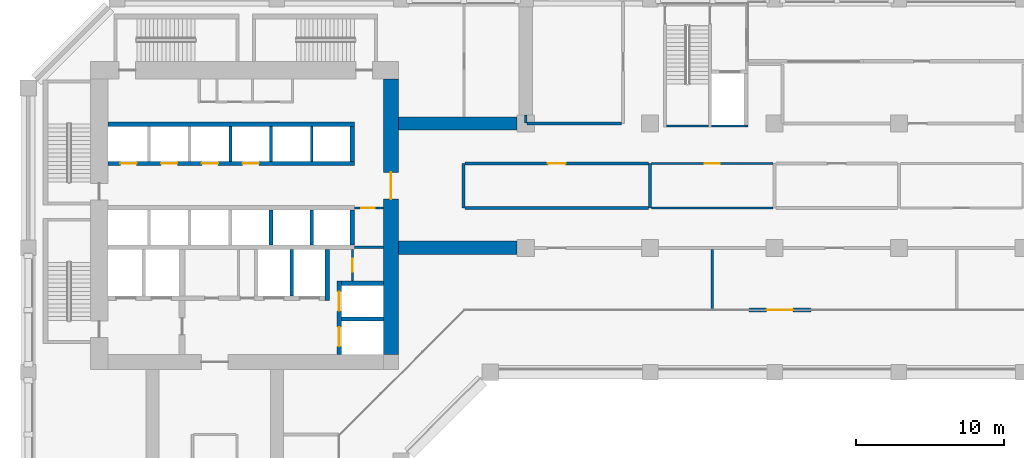
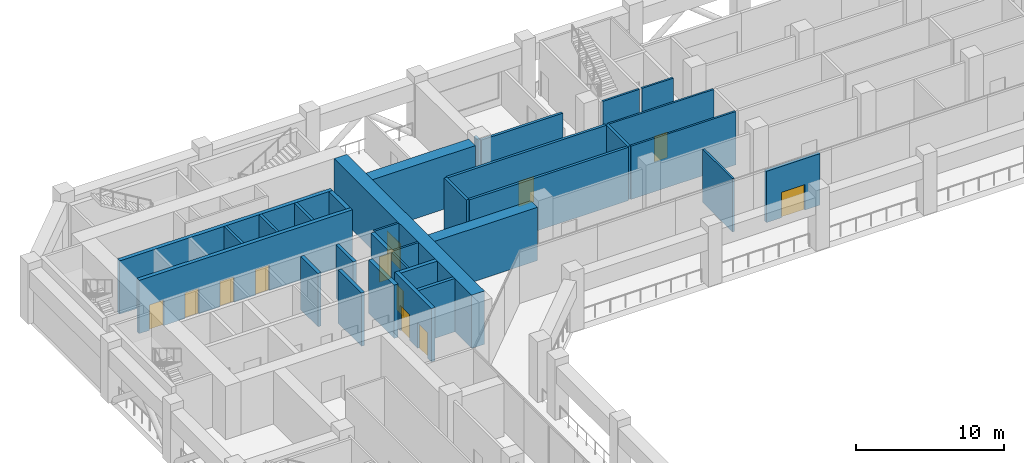
# One storey, part 8 of 19: 32 walls, 12 doors, 12 openings.
"""IFC4 building model written with IfcOpenShell, lengths in metres."""

import ifcopenshell
import ifcopenshell.guid

model = None  # the IFC model being written
_history = None  # IfcOwnerHistory: only IFC2X3 demands one
_inside = {}  # id of a spatial element -> (the spatial element, [elements in it])
_under = {}  # id of a project, library or spatial element -> (it, [spatial elements below it])
_declared = {}  # id of a project -> (the project, [libraries it declares])
_typed = {}  # id of a type object -> (the type object, [elements of that type])
_made_of = {}  # id of a material, layer set ... -> (it, [elements and type objects made of it])


def new_model(schema):
    """Start an empty IFC model of exactly this schema.

    Asked for "IFC4X3", IfcOpenShell would pick the latest addendum, in which some entities
    have other attributes; the version numbers below select the first issue.
    IFC2X3 requires an IfcOwnerHistory on every rooted entity: one is made here for all.
    """
    global model, _history
    if schema == "IFC4X3":
        model = ifcopenshell.file(schema_version=(4, 3, 0, 0))
    else:
        model = ifcopenshell.file(schema=schema)
    _inside.clear()
    _under.clear()
    _declared.clear()
    _typed.clear()
    _made_of.clear()
    _history = None
    if model.schema == "IFC2X3":
        org = make("IfcOrganization", Name="unknown")
        user = make(
            "IfcPersonAndOrganization",
            ThePerson=make("IfcPerson", FamilyName="unknown"),
            TheOrganization=org,
        )
        app = make(
            "IfcApplication",
            ApplicationDeveloper=org,
            Version="unknown",
            ApplicationFullName="unknown",
            ApplicationIdentifier="unknown",
        )
        _history = make(
            "IfcOwnerHistory",
            OwningUser=user,
            OwningApplication=app,
            ChangeAction="ADDED",
            CreationDate=0,
        )
    return model


def make(cls, **values):
    """One entity of the class cls with the attributes given. An attribute that is None is left unset."""
    return model.create_entity(
        cls, **{name: value for name, value in values.items() if value is not None}
    )


def rooted(cls, **values):
    """An entity with a GlobalId (a new one), such as an element, a storey or a relation."""
    return make(cls, GlobalId=ifcopenshell.guid.new(), OwnerHistory=_history, **values)


def si_unit(unit_type, name, prefix=None):
    """IfcSIUnit, for example si_unit("LENGTHUNIT", "METRE", prefix="MILLI")."""
    return make("IfcSIUnit", UnitType=unit_type, Prefix=prefix, Name=name)


def assignment(units):
    """IfcUnitAssignment: the units of a project."""
    return None if units is None else make("IfcUnitAssignment", Units=units)


def point(xyz):
    """IfcCartesianPoint."""
    return None if xyz is None else make("IfcCartesianPoint", Coordinates=xyz)


def direction(xyz):
    """IfcDirection."""
    return None if xyz is None else make("IfcDirection", DirectionRatios=xyz)


def frame(location, z_axis=None, x_axis=None):
    """IfcAxis2Placement3D, a coordinate frame: its origin and axes. An axis left out is left unset."""
    return make(
        "IfcAxis2Placement3D",
        Location=point(location),
        Axis=direction(z_axis),
        RefDirection=direction(x_axis),
    )


def frame_2d(location, x_axis=None):
    """IfcAxis2Placement2D, a coordinate frame in the plane: its origin and x axis."""
    return make(
        "IfcAxis2Placement2D", Location=point(location), RefDirection=direction(x_axis)
    )


def origin():
    """The frame at (0, 0, 0) with its axes left unset."""
    return frame((0.0, 0.0, 0.0))


def place(relative_to, where):
    """IfcLocalPlacement: puts the frame where relative to a parent placement (None: the world)."""
    return make(
        "IfcLocalPlacement", PlacementRelTo=relative_to, RelativePlacement=where
    )


def context(
    kind, dimensions, precision=None, world=None, true_north=None, identifier=None
):
    """IfcGeometricRepresentationContext, for example the 3D "Model" context."""
    return make(
        "IfcGeometricRepresentationContext",
        ContextIdentifier=identifier,
        ContextType=kind,
        CoordinateSpaceDimension=dimensions,
        Precision=precision,
        WorldCoordinateSystem=world,
        TrueNorth=true_north,
    )


def subcontext(parent, identifier, kind, view, scale=None):
    """IfcGeometricRepresentationSubContext, for example "Body" below "Model"."""
    return make(
        "IfcGeometricRepresentationSubContext",
        ContextIdentifier=identifier,
        ContextType=kind,
        ParentContext=parent,
        TargetScale=scale,
        TargetView=view,
    )


def project(units=None, contexts=None):
    """IfcProject with its units and contexts."""
    return rooted(
        "IfcProject",
        Name="project",
        RepresentationContexts=contexts,
        UnitsInContext=assignment(units),
    )


def spatial(cls, under=None, at=None, **own):
    """A site, building, storey or space (cls), placed at a placement, below another one or the project."""
    s = rooted(cls, ObjectPlacement=at, **own)
    if under is not None:
        _under.setdefault(under.id(), (under, []))[1].append(s)
    return s


def profile(cls, at=None, kind="AREA", **sizes):
    """A parametric profile (cls). Its sizes go by their IFC names, for example OverallWidth=200.0."""
    return make(cls, ProfileType=kind, Position=at, **sizes)


def rectangle(**sizes):
    """IfcRectangleProfileDef."""
    return profile("IfcRectangleProfileDef", **sizes)


def extrude(swept, where, along, depth):
    """IfcExtrudedAreaSolid: the profile swept, set in the frame where, extruded along a direction by depth."""
    return make(
        "IfcExtrudedAreaSolid",
        SweptArea=swept,
        Position=where,
        ExtrudedDirection=direction(along),
        Depth=depth,
    )


def shape(context_of_items, identifier, shape_type, items):
    """IfcShapeRepresentation: the items that make up one representation, for example the "Body"."""
    return make(
        "IfcShapeRepresentation",
        ContextOfItems=context_of_items,
        RepresentationIdentifier=identifier,
        RepresentationType=shape_type,
        Items=items,
    )


def material(Name=None, Category=None):
    """IfcMaterial."""
    return make("IfcMaterial", Name=Name, Category=Category)


def layer(
    of_material, thickness, ventilated=None, Name=None, Category=None, Priority=None
):
    """IfcMaterialLayer: one layer of a wall or slab, of a material (None: an air gap)."""
    return make(
        "IfcMaterialLayer",
        Material=of_material,
        LayerThickness=thickness,
        IsVentilated=ventilated,
        Name=Name,
        Category=Category,
        Priority=Priority,
    )


def layer_set(layers, Name=None):
    """IfcMaterialLayerSet."""
    return make("IfcMaterialLayerSet", MaterialLayers=layers, LayerSetName=Name)


def made_of(thing, what):
    """Note that an element or type object is made of a material, layer set ...; save() writes the relation."""
    if what is not None:
        _made_of.setdefault(what.id(), (what, []))[1].append(thing)
    return thing


def type_object(cls, material=None, **own):
    """A type object (cls), such as IfcWallType, which elements share."""
    return made_of(rooted(cls, **own), material)


def element(
    cls,
    number,
    at=None,
    inside=None,
    cuts=None,
    type_object=None,
    material=None,
    context=None,
    identifier="Body",
    shape_type=None,
    held_by="IfcProductDefinitionShape",
    body=None,
    shapes=None,
    **own,
):
    """One element of the class cls, such as IfcWall. Its Tag is "e" and its number.

    at: its placement. inside: the storey or other place that contains it. cuts: it is an
    opening in that element (IfcRelVoidsElement). A single representation is given by context,
    identifier, shape_type and body (its items); several are given by shapes. held_by: the class
    of the entity that holds the representations. save() writes the other relations.
    """
    e = rooted(cls, Tag="e%d" % number, ObjectPlacement=at, **own)
    if body is not None:
        shapes = [shape(context, identifier, shape_type, body)]
    if shapes is not None:
        e.Representation = make(held_by, Representations=shapes)
    if inside is not None:
        _inside.setdefault(inside.id(), (inside, []))[1].append(e)
    if cuts is not None:
        rooted(
            "IfcRelVoidsElement", RelatingBuildingElement=cuts, RelatedOpeningElement=e
        )
    if type_object is not None:
        _typed.setdefault(type_object.id(), (type_object, []))[1].append(e)
    return made_of(e, material)


def fill(opening, filler):
    """IfcRelFillsElement: the door or window that sits in an opening."""
    return rooted(
        "IfcRelFillsElement",
        RelatingOpeningElement=opening,
        RelatedBuildingElement=filler,
    )


def aggregate(whole, parts):
    """IfcRelAggregates: a whole, such as a stair, and the parts it consists of."""
    return rooted("IfcRelAggregates", RelatingObject=whole, RelatedObjects=parts)


def save(model, path):
    """Write the relations noted so far, then the file.

    IfcRelAggregates (storeys below a building ...), IfcRelContainedInSpatialStructure (elements
    in a storey), IfcRelDefinesByType, IfcRelAssociatesMaterial and IfcRelDeclares: one each for
    every whole, place, type object, material and project.
    """
    for whole, parts in _under.values():
        aggregate(whole, parts)
    for where, things in _inside.values():
        rooted(
            "IfcRelContainedInSpatialStructure",
            RelatedElements=things,
            RelatingStructure=where,
        )
    for kind, things in _typed.values():
        rooted("IfcRelDefinesByType", RelatedObjects=things, RelatingType=kind)
    for what, things in _made_of.values():
        rooted("IfcRelAssociatesMaterial", RelatedObjects=things, RelatingMaterial=what)
    for by, libraries in _declared.values():
        rooted("IfcRelDeclares", RelatingContext=by, RelatedDefinitions=libraries)
    model.write(path)


model = new_model("IFC4")

# Units and contexts
model_context = context("Model", 3, precision=1e-05, world=origin(), true_north=direction((0.0, 1.0)))
body_context = subcontext(model_context, "Body", "Model", "MODEL_VIEW")
ifc_project = project(units=[si_unit("LENGTHUNIT", "METRE"), si_unit("AREAUNIT", "SQUARE_METRE"), si_unit("VOLUMEUNIT", "CUBIC_METRE"), si_unit("PLANEANGLEUNIT", "RADIAN"), si_unit("MASSUNIT", "GRAM", prefix="KILO")], contexts=[model_context])

# Site, building, storey
site_placement = place(None, origin())
site = spatial("IfcSite", under=ifc_project, at=site_placement, CompositionType="ELEMENT")
building_placement = place(site_placement, origin())
building = spatial("IfcBuilding", under=site, at=building_placement, Name="Kawkab Arch Medical Tower", CompositionType="ELEMENT")
storey_placement = place(building_placement, frame((0.0, 0.0, 93.800048828125)))
storey = spatial("IfcBuildingStorey", under=building, at=storey_placement, Name="L21", CompositionType="ELEMENT", Elevation=93.800048828125)

# Walls
ifc_material_1 = material(Name="Concrete C55/67", Category="concrete")
ifc_layer_1 = layer(ifc_material_1, 0.89990234375)
ifc_layer_set_1 = layer_set([ifc_layer_1], Name="Concrete C55/67")
wall_type_1 = type_object("IfcWallType", Name="Belt wall 900 C55/67", PredefinedType="SHEAR", material=ifc_layer_set_1)
for number, where, z_axis, x_axis, name in (
    (1, (25.0, -8.39990234375, 0.0), (0.0, 0.0, 1.0), (1.0, 0.0, 0.0), "Belt wall BW-L21-1"),
    (2, (25.0, -16.800048828125, 0.0), (0.0, 0.0, 1.0), (1.0, 0.0, 0.0), "Belt wall BW-L21-2"),
):
    element("IfcWall", number, at=place(storey_placement, frame(where, z_axis=z_axis, x_axis=x_axis)), inside=storey, type_object=wall_type_1, Name=name, PredefinedType="SHEAR", context=body_context, shape_type="SweptSolid", body=[
        extrude(rectangle(XDim=8.02490234375, YDim=0.89990234375, at=frame_2d((4.012451171875, 0.0))), origin(), (0.0, 0.0, 1.0), 4.39990234375),
    ])

# Wall, opening, door
ifc_material_2 = material(Name="Concrete C60/75", Category="concrete")
ifc_layer_2 = layer(ifc_material_2, 1.0)
ifc_layer_set_2 = layer_set([ifc_layer_2], Name="Concrete C60/75")
wall_type_2 = type_object("IfcWallType", Name="Core ring wall 1000 C60/75", PredefinedType="SHEAR", material=ifc_layer_set_2)
wall_1_placement = place(storey_placement, frame((24.5, -24.0, 0.0), z_axis=(0.0, 0.0, 1.0), x_axis=(0.0, 1.0, 0.0)))
wall_1 = element("IfcWall", 3, at=wall_1_placement, inside=storey, type_object=wall_type_2, Name="L21 core wall", PredefinedType="SHEAR", context=body_context, shape_type="SweptSolid", body=[
    extrude(rectangle(XDim=18.60009765625, YDim=1.0, at=frame_2d((9.300048828125, 0.0))), origin(), (0.0, 0.0, 1.0), 4.39990234375),
])
opening_1_placement = place(wall_1_placement, frame((10.5, 0.0, 0.0)))
opening_1 = element("IfcOpeningElement", 4, at=opening_1_placement, cuts=wall_1, Name="Opening PD", PredefinedType="OPENING", context=body_context, shape_type="SweptSolid", body=[
    extrude(rectangle(XDim=1.800048828125, YDim=2.10009765625, at=frame_2d((0.89990234375, 1.050048828125))), frame((0.0, 0.510009765625, 0.0), z_axis=(0.0, -1.0, 0.0), x_axis=(1.0, 0.0, 0.0)), (0.0, 0.0, 1.0), 1.02001953125),
])
ifc_material_3 = material(Name="Hollow metal fire door leaf")
door_type_1 = type_object("IfcDoorType", Name="Core entrance doors 1800", OperationType="DOUBLE_DOOR_SINGLE_SWING", PredefinedType="DOOR", material=ifc_material_3)
door_1_placement = place(opening_1_placement, origin())
door_1 = element("IfcDoor", 5, at=door_1_placement, inside=storey, type_object=door_type_1, Name="L21 East entrance doors", OperationType="DOUBLE_DOOR_SINGLE_SWING", OverallHeight=2.10009765625, OverallWidth=1.800048828125, PredefinedType="DOOR", context=body_context, shape_type="SweptSolid", body=[
    extrude(rectangle(XDim=1.800048828125, YDim=2.10009765625, at=frame_2d((0.89990234375, 1.050048828125))), frame((0.0, 0.02490234375, 0.0), z_axis=(0.0, -1.0, 0.0), x_axis=(1.0, 0.0, 0.0)), (0.0, 0.0, 1.0), 0.050048828125),
])
fill(opening_1, door_1)

ifc_material_4 = material(Name="Gypsum board on steel studs", Category="steel")
ifc_layer_3 = layer(ifc_material_4, 0.14990234375)
ifc_layer_set_3 = layer_set([ifc_layer_3], Name="Gypsum board on steel studs")
wall_type_3 = type_object("IfcWallType", Name="Core room partition 150", PredefinedType="PARTITIONING", material=ifc_layer_set_3)
wall_2_placement = place(storey_placement, frame((21.89990234375, -19.050048828125, 0.0), z_axis=(0.0, 0.0, 1.0), x_axis=(0.0, 1.0, 0.0)))
wall_2 = element("IfcWall", 6, at=wall_2_placement, inside=storey, type_object=wall_type_3, Name="L21 core room partition", PredefinedType="PARTITIONING", context=body_context, shape_type="SweptSolid", body=[
    extrude(rectangle(XDim=2.150146484375, YDim=0.14990234375, at=frame_2d((1.0751953125, 0.0))), origin(), (0.0, 0.0, 1.0), 4.39990234375),
])
opening_2_placement = place(wall_2_placement, frame((0.625, 0.0, 0.0)))
opening_2 = element("IfcOpeningElement", 7, at=opening_2_placement, cuts=wall_2, Name="Opening RD", PredefinedType="OPENING", context=body_context, shape_type="SweptSolid", body=[
    extrude(rectangle(XDim=0.89990234375, YDim=2.10009765625, at=frame_2d((0.449951171875, 1.050048828125))), frame((0.0, 0.0849609375, 0.0), z_axis=(0.0, -1.0, 0.0), x_axis=(1.0, 0.0, 0.0)), (0.0, 0.0, 1.0), 0.169921875),
])
ifc_material_5 = material(Name="Hollow metal fire door leaf")
door_type_2 = type_object("IfcDoorType", Name="Core room door 900", OperationType="SINGLE_SWING_LEFT", PredefinedType="DOOR", material=ifc_material_5)
door_2_placement = place(opening_2_placement, origin())
door_2 = element("IfcDoor", 8, at=door_2_placement, inside=storey, type_object=door_type_2, Name="L21 Accessible WC door", OperationType="SINGLE_SWING_LEFT", OverallHeight=2.10009765625, OverallWidth=0.89990234375, PredefinedType="DOOR", context=body_context, shape_type="SweptSolid", body=[
    extrude(rectangle(XDim=0.89990234375, YDim=2.10009765625, at=frame_2d((0.449951171875, 1.050048828125))), frame((0.0, 0.02490234375, 0.0), z_axis=(0.0, -1.0, 0.0), x_axis=(1.0, 0.0, 0.0)), (0.0, 0.0, 1.0), 0.050048828125),
])
fill(opening_2, door_2)

# Wall
wall_3_placement = place(storey_placement, frame((22.050048828125, -16.75, 0.0), z_axis=(0.0, 0.0, 1.0), x_axis=(1.0, 0.0, 0.0)))
element("IfcWall", 9, at=wall_3_placement, inside=storey, type_object=wall_type_3, Name="L21 core room partition", PredefinedType="PARTITIONING", context=body_context, shape_type="SweptSolid", body=[
    extrude(rectangle(XDim=1.949951171875, YDim=0.14990234375, at=frame_2d((0.97509765625, 0.0))), origin(), (0.0, 0.0, 1.0), 4.39990234375),
])

# Wall, opening, door
wall_4_placement = place(storey_placement, frame((22.050048828125, -14.10009765625, 0.0), z_axis=(0.0, 0.0, 1.0), x_axis=(1.0, 0.0, 0.0)))
wall_4 = element("IfcWall", 10, at=wall_4_placement, inside=storey, type_object=wall_type_3, Name="L21 core room partition", PredefinedType="PARTITIONING", context=body_context, shape_type="SweptSolid", body=[
    extrude(rectangle(XDim=1.949951171875, YDim=0.14990234375, at=frame_2d((0.97509765625, 0.0))), origin(), (0.0, 0.0, 1.0), 4.39990234375),
])
opening_3_placement = place(wall_4_placement, frame((0.449951171875, 0.0, 0.0)))
opening_3 = element("IfcOpeningElement", 11, at=opening_3_placement, cuts=wall_4, Name="Opening RD", PredefinedType="OPENING", context=body_context, shape_type="SweptSolid", body=[
    extrude(rectangle(XDim=0.89990234375, YDim=2.10009765625, at=frame_2d((0.449951171875, 1.050048828125))), frame((0.0, 0.0849609375, 0.0), z_axis=(0.0, -1.0, 0.0), x_axis=(1.0, 0.0, 0.0)), (0.0, 0.0, 1.0), 0.169921875),
])
door_3_placement = place(opening_3_placement, origin())
door_3 = element("IfcDoor", 12, at=door_3_placement, inside=storey, type_object=door_type_2, Name="L21 Comms room door", OperationType="SINGLE_SWING_LEFT", OverallHeight=2.10009765625, OverallWidth=0.89990234375, PredefinedType="DOOR", context=body_context, shape_type="SweptSolid", body=[
    extrude(rectangle(XDim=0.89990234375, YDim=2.10009765625, at=frame_2d((0.449951171875, 1.050048828125))), frame((0.0, 0.02490234375, 0.0), z_axis=(0.0, -1.0, 0.0), x_axis=(1.0, 0.0, 0.0)), (0.0, 0.0, 1.0), 0.050048828125),
])
fill(opening_3, door_3)

# Walls
ifc_material_6 = material(Name="Concrete C60/75", Category="concrete")
ifc_layer_4 = layer(ifc_material_6, 0.25)
ifc_layer_set_4 = layer_set([ifc_layer_4], Name="Concrete C60/75")
wall_type_4 = type_object("IfcWallType", Name="Core shear wall 250 C60/75", PredefinedType="SHEAR", material=ifc_layer_set_4)
wall_5_placement = place(storey_placement, frame((21.14990234375, -21.60009765625, 0.0), z_axis=(0.0, 0.0, 1.0), x_axis=(1.0, 0.0, 0.0)))
element("IfcWall", 13, at=wall_5_placement, inside=storey, type_object=wall_type_4, Name="L21 core shear wall", PredefinedType="SHEAR", context=body_context, shape_type="SweptSolid", body=[
    extrude(rectangle(XDim=2.85009765625, YDim=0.25, at=frame_2d((1.425048828125, 0.0))), origin(), (0.0, 0.0, 1.0), 4.39990234375),
])
wall_6_placement = place(storey_placement, frame((17.800048828125, -20.050048828125, 0.0), z_axis=(0.0, 0.0, 1.0), x_axis=(0.0, 1.0, 0.0)))
element("IfcWall", 14, at=wall_6_placement, inside=storey, type_object=wall_type_4, Name="L21 core shear wall", PredefinedType="SHEAR", context=body_context, shape_type="SweptSolid", body=[
    extrude(rectangle(XDim=3.150146484375, YDim=0.25, at=frame_2d((1.5751953125, 0.0))), origin(), (0.0, 0.0, 1.0), 4.39990234375),
])
for number, where, z_axis, x_axis, name in (
    (15, (16.39990234375, -16.60009765625, 0.0), (0.0, 0.0, 1.0), (0.0, 1.0, 0.0), "L21 core shear wall"),
    (16, (19.14990234375, -16.60009765625, 0.0), (0.0, 0.0, 1.0), (0.0, 1.0, 0.0), "L21 core shear wall"),
):
    element("IfcWall", number, at=place(storey_placement, frame(where, z_axis=z_axis, x_axis=x_axis)), inside=storey, type_object=wall_type_4, Name=name, PredefinedType="SHEAR", context=body_context, shape_type="SweptSolid", body=[
        extrude(rectangle(XDim=2.35009765625, YDim=0.25, at=frame_2d((1.175048828125, 0.0))), origin(), (0.0, 0.0, 1.0), 4.39990234375),
    ])
ifc_material_7 = material(Name="Concrete C60/75", Category="concrete")
ifc_layer_5 = layer(ifc_material_7, 0.300048828125)
ifc_layer_set_5 = layer_set([ifc_layer_5], Name="Concrete C60/75")
wall_type_5 = type_object("IfcWallType", Name="Core shear wall 300 C60/75", PredefinedType="SHEAR", material=ifc_layer_set_5)
wall_7_placement = place(storey_placement, frame((5.39990234375, -8.449951171875, 0.0), z_axis=(0.0, 0.0, 1.0), x_axis=(1.0, 0.0, 0.0)))
element("IfcWall", 17, at=wall_7_placement, inside=storey, type_object=wall_type_5, Name="L21 core shear wall", PredefinedType="SHEAR", context=body_context, shape_type="SweptSolid", body=[
    extrude(rectangle(XDim=16.650146484375, YDim=0.300048828125, at=frame_2d((8.3251953125, 0.0))), origin(), (0.0, 0.0, 1.0), 4.39990234375),
])

# Wall, openings, doors
wall_8_placement = place(storey_placement, frame((5.39990234375, -11.10009765625, 0.0), z_axis=(0.0, 0.0, 1.0), x_axis=(1.0, 0.0, 0.0)))
wall_8 = element("IfcWall", 18, at=wall_8_placement, inside=storey, type_object=wall_type_5, Name="L21 core shear wall", PredefinedType="SHEAR", context=body_context, shape_type="SweptSolid", body=[
    extrude(rectangle(XDim=16.650146484375, YDim=0.300048828125, at=frame_2d((8.3251953125, 0.0))), origin(), (0.0, 0.0, 1.0), 4.39990234375),
])
opening_4_placement = place(wall_8_placement, frame((0.824951171875, 0.0, 0.0)))
opening_4 = element("IfcOpeningElement", 19, at=opening_4_placement, cuts=wall_8, Name="Opening LD1", PredefinedType="OPENING", context=body_context, shape_type="SweptSolid", body=[
    extrude(rectangle(XDim=1.10009765625, YDim=2.10009765625, at=frame_2d((0.550048828125, 1.050048828125))), frame((0.0, 0.159912109375, 0.0), z_axis=(0.0, -1.0, 0.0), x_axis=(1.0, 0.0, 0.0)), (0.0, 0.0, 1.0), 0.320068359375),
])
opening_5_placement = place(wall_8_placement, frame((3.574951171875, 0.0, 0.0)))
opening_5 = element("IfcOpeningElement", 20, at=opening_5_placement, cuts=wall_8, Name="Opening LD1", PredefinedType="OPENING", context=body_context, shape_type="SweptSolid", body=[
    extrude(rectangle(XDim=1.10009765625, YDim=2.10009765625, at=frame_2d((0.550048828125, 1.050048828125))), frame((0.0, 0.159912109375, 0.0), z_axis=(0.0, -1.0, 0.0), x_axis=(1.0, 0.0, 0.0)), (0.0, 0.0, 1.0), 0.320068359375),
])
opening_6_placement = place(wall_8_placement, frame((6.324951171875, 0.0, 0.0)))
opening_6 = element("IfcOpeningElement", 21, at=opening_6_placement, cuts=wall_8, Name="Opening LD1", PredefinedType="OPENING", context=body_context, shape_type="SweptSolid", body=[
    extrude(rectangle(XDim=1.10009765625, YDim=2.10009765625, at=frame_2d((0.550048828125, 1.050048828125))), frame((0.0, 0.159912109375, 0.0), z_axis=(0.0, -1.0, 0.0), x_axis=(1.0, 0.0, 0.0)), (0.0, 0.0, 1.0), 0.320068359375),
])
opening_7_placement = place(wall_8_placement, frame((9.074951171875, 0.0, 0.0)))
opening_7 = element("IfcOpeningElement", 22, at=opening_7_placement, cuts=wall_8, Name="Opening LD1", PredefinedType="OPENING", context=body_context, shape_type="SweptSolid", body=[
    extrude(rectangle(XDim=1.10009765625, YDim=2.10009765625, at=frame_2d((0.550048828125, 1.050048828125))), frame((0.0, 0.159912109375, 0.0), z_axis=(0.0, -1.0, 0.0), x_axis=(1.0, 0.0, 0.0)), (0.0, 0.0, 1.0), 0.320068359375),
])
ifc_material_8 = material(Name="Stainless steel lift door leaf", Category="steel")
door_type_3 = type_object("IfcDoorType", Name="Lift landing door 1100", OperationType="DOUBLE_DOOR_SLIDING", PredefinedType="DOOR", material=ifc_material_8)
door_4_placement = place(opening_4_placement, origin())
door_4 = element("IfcDoor", 23, at=door_4_placement, inside=storey, type_object=door_type_3, Name="L21 Lift landing door LP1", OperationType="DOUBLE_DOOR_SLIDING", OverallHeight=2.10009765625, OverallWidth=1.10009765625, PredefinedType="DOOR", context=body_context, shape_type="SweptSolid", body=[
    extrude(rectangle(XDim=1.10009765625, YDim=2.10009765625, at=frame_2d((0.550048828125, 1.050048828125))), frame((0.0, 0.02490234375, 0.0), z_axis=(0.0, -1.0, 0.0), x_axis=(1.0, 0.0, 0.0)), (0.0, 0.0, 1.0), 0.050048828125),
])
fill(opening_4, door_4)
door_5_placement = place(opening_5_placement, origin())
door_5 = element("IfcDoor", 24, at=door_5_placement, inside=storey, type_object=door_type_3, Name="L21 Lift landing door LP2", OperationType="DOUBLE_DOOR_SLIDING", OverallHeight=2.10009765625, OverallWidth=1.10009765625, PredefinedType="DOOR", context=body_context, shape_type="SweptSolid", body=[
    extrude(rectangle(XDim=1.10009765625, YDim=2.10009765625, at=frame_2d((0.550048828125, 1.050048828125))), frame((0.0, 0.02490234375, 0.0), z_axis=(0.0, -1.0, 0.0), x_axis=(1.0, 0.0, 0.0)), (0.0, 0.0, 1.0), 0.050048828125),
])
fill(opening_5, door_5)
door_6_placement = place(opening_6_placement, origin())
door_6 = element("IfcDoor", 25, at=door_6_placement, inside=storey, type_object=door_type_3, Name="L21 Lift landing door LP3", OperationType="DOUBLE_DOOR_SLIDING", OverallHeight=2.10009765625, OverallWidth=1.10009765625, PredefinedType="DOOR", context=body_context, shape_type="SweptSolid", body=[
    extrude(rectangle(XDim=1.10009765625, YDim=2.10009765625, at=frame_2d((0.550048828125, 1.050048828125))), frame((0.0, 0.02490234375, 0.0), z_axis=(0.0, -1.0, 0.0), x_axis=(1.0, 0.0, 0.0)), (0.0, 0.0, 1.0), 0.050048828125),
])
fill(opening_6, door_6)
door_7_placement = place(opening_7_placement, origin())
door_7 = element("IfcDoor", 26, at=door_7_placement, inside=storey, type_object=door_type_3, Name="L21 Lift landing door LP4", OperationType="DOUBLE_DOOR_SLIDING", OverallHeight=2.10009765625, OverallWidth=1.10009765625, PredefinedType="DOOR", context=body_context, shape_type="SweptSolid", body=[
    extrude(rectangle(XDim=1.10009765625, YDim=2.10009765625, at=frame_2d((0.550048828125, 1.050048828125))), frame((0.0, 0.02490234375, 0.0), z_axis=(0.0, -1.0, 0.0), x_axis=(1.0, 0.0, 0.0)), (0.0, 0.0, 1.0), 0.050048828125),
])
fill(opening_7, door_7)

# Walls
wall_9_placement = place(storey_placement, frame((20.199951171875, -20.35009765625, 0.0), z_axis=(0.0, 0.0, 1.0), x_axis=(0.0, 1.0, 0.0)))
element("IfcWall", 27, at=wall_9_placement, inside=storey, type_object=wall_type_5, Name="L21 core shear wall", PredefinedType="SHEAR", context=body_context, shape_type="SweptSolid", body=[
    extrude(rectangle(XDim=3.4501953125, YDim=0.300048828125, at=frame_2d((1.72509765625, 0.0))), origin(), (0.0, 0.0, 1.0), 4.39990234375),
])
wall_10_placement = place(storey_placement, frame((21.89990234375, -10.949951171875, 0.0), z_axis=(0.0, 0.0, 1.0), x_axis=(0.0, 1.0, 0.0)))
element("IfcWall", 28, at=wall_10_placement, inside=storey, type_object=wall_type_5, Name="L21 core shear wall", PredefinedType="SHEAR", context=body_context, shape_type="SweptSolid", body=[
    extrude(rectangle(XDim=2.349853515625, YDim=0.300048828125, at=frame_2d((1.1748046875, 0.0))), origin(), (0.0, 0.0, 1.0), 4.39990234375),
])
wall_11_placement = place(storey_placement, frame((21.89990234375, -16.60009765625, 0.0), z_axis=(0.0, 0.0, 1.0), x_axis=(0.0, 1.0, 0.0)))
element("IfcWall", 29, at=wall_11_placement, inside=storey, type_object=wall_type_5, Name="L21 core shear wall", PredefinedType="SHEAR", context=body_context, shape_type="SweptSolid", body=[
    extrude(rectangle(XDim=2.35009765625, YDim=0.300048828125, at=frame_2d((1.175048828125, 0.0))), origin(), (0.0, 0.0, 1.0), 4.39990234375),
])
wall_12_placement = place(storey_placement, frame((21.14990234375, -19.199951171875, 0.0), z_axis=(0.0, 0.0, 1.0), x_axis=(1.0, 0.0, 0.0)))
element("IfcWall", 30, at=wall_12_placement, inside=storey, type_object=wall_type_5, Name="L21 core shear wall", PredefinedType="SHEAR", context=body_context, shape_type="SweptSolid", body=[
    extrude(rectangle(XDim=2.85009765625, YDim=0.300048828125, at=frame_2d((1.425048828125, 0.0))), origin(), (0.0, 0.0, 1.0), 4.39990234375),
])

# Wall, openings, doors
wall_13_placement = place(storey_placement, frame((21.0, -24.0, 0.0), z_axis=(0.0, 0.0, 1.0), x_axis=(0.0, 1.0, 0.0)))
wall_13 = element("IfcWall", 31, at=wall_13_placement, inside=storey, type_object=wall_type_5, Name="L21 core shear wall", PredefinedType="SHEAR", context=body_context, shape_type="SweptSolid", body=[
    extrude(rectangle(XDim=4.949951171875, YDim=0.300048828125, at=frame_2d((2.47509765625, 0.0))), origin(), (0.0, 0.0, 1.0), 4.39990234375),
])
opening_8_placement = place(wall_13_placement, frame((2.949951171875, 0.0, 0.0)))
opening_8 = element("IfcOpeningElement", 32, at=opening_8_placement, cuts=wall_13, Name="Opening LD2", PredefinedType="OPENING", context=body_context, shape_type="SweptSolid", body=[
    extrude(rectangle(XDim=1.300048828125, YDim=2.10009765625, at=frame_2d((0.64990234375, 1.050048828125))), frame((0.0, 0.159912109375, 0.0), z_axis=(0.0, -1.0, 0.0), x_axis=(1.0, 0.0, 0.0)), (0.0, 0.0, 1.0), 0.320068359375),
])
opening_9_placement = place(wall_13_placement, frame((0.550048828125, 0.0, 0.0)))
opening_9 = element("IfcOpeningElement", 33, at=opening_9_placement, cuts=wall_13, Name="Opening LD2", PredefinedType="OPENING", context=body_context, shape_type="SweptSolid", body=[
    extrude(rectangle(XDim=1.300048828125, YDim=2.10009765625, at=frame_2d((0.64990234375, 1.050048828125))), frame((0.0, 0.159912109375, 0.0), z_axis=(0.0, -1.0, 0.0), x_axis=(1.0, 0.0, 0.0)), (0.0, 0.0, 1.0), 0.320068359375),
])
ifc_material_9 = material(Name="Stainless steel lift door leaf", Category="steel")
door_type_4 = type_object("IfcDoorType", Name="Lift landing door 1300", OperationType="DOUBLE_DOOR_SLIDING", PredefinedType="DOOR", material=ifc_material_9)
door_8_placement = place(opening_8_placement, origin())
door_8 = element("IfcDoor", 34, at=door_8_placement, inside=storey, type_object=door_type_4, Name="L21 Lift landing door BD1", OperationType="DOUBLE_DOOR_SLIDING", OverallHeight=2.10009765625, OverallWidth=1.300048828125, PredefinedType="DOOR", context=body_context, shape_type="SweptSolid", body=[
    extrude(rectangle(XDim=1.300048828125, YDim=2.10009765625, at=frame_2d((0.64990234375, 1.050048828125))), frame((0.0, 0.02490234375, 0.0), z_axis=(0.0, -1.0, 0.0), x_axis=(1.0, 0.0, 0.0)), (0.0, 0.0, 1.0), 0.050048828125),
])
fill(opening_8, door_8)
door_9_placement = place(opening_9_placement, origin())
door_9 = element("IfcDoor", 35, at=door_9_placement, inside=storey, type_object=door_type_4, Name="L21 Lift landing door BD2", OperationType="DOUBLE_DOOR_SLIDING", OverallHeight=2.10009765625, OverallWidth=1.300048828125, PredefinedType="DOOR", context=body_context, shape_type="SweptSolid", body=[
    extrude(rectangle(XDim=1.300048828125, YDim=2.10009765625, at=frame_2d((0.64990234375, 1.050048828125))), frame((0.0, 0.02490234375, 0.0), z_axis=(0.0, -1.0, 0.0), x_axis=(1.0, 0.0, 0.0)), (0.0, 0.0, 1.0), 0.050048828125),
])
fill(opening_9, door_9)

# Wall, opening, door
ifc_material_10 = material(Name="Bronze clad insulated wall panel")
ifc_layer_6 = layer(ifc_material_10, 0.25)
ifc_layer_set_6 = layer_set([ifc_layer_6], Name="Bronze clad insulated wall panel")
wall_type_6 = type_object("IfcWallType", Name="External wall bay 250", PredefinedType="SOLIDWALL", material=ifc_layer_set_6)
wall_14_placement = place(storey_placement, frame((48.659912109375, -21.0, 0.0), z_axis=(0.0, 0.0, 1.0), x_axis=(1.0, 0.0, 0.0)))
wall_14 = element("IfcWall", 36, at=wall_14_placement, inside=storey, type_object=wall_type_6, Name="External wall bay L21.R11.4.2", PredefinedType="SOLIDWALL", context=body_context, shape_type="SweptSolid", body=[
    extrude(rectangle(XDim=4.2001953125, YDim=0.25, at=frame_2d((2.10009765625, 0.0))), origin(), (0.0, 0.0, 1.0), 4.239990234375),
])
opening_10_placement = place(wall_14_placement, frame((1.199951171875, 0.0, 0.0)))
opening_10 = element("IfcOpeningElement", 37, at=opening_10_placement, cuts=wall_14, Name="Opening PL1B-702", PredefinedType="OPENING", context=body_context, shape_type="SweptSolid", body=[
    extrude(rectangle(XDim=1.800048828125, YDim=2.10009765625, at=frame_2d((0.89990234375, 1.050048828125))), frame((0.0, 0.135009765625, 0.0), z_axis=(0.0, -1.0, 0.0), x_axis=(1.0, 0.0, 0.0)), (0.0, 0.0, 1.0), 0.27001953125),
])
ifc_material_11 = material(Name="Bronze anodised aluminium door with tinted glass", Category="aluminium")
door_type_5 = type_object("IfcDoorType", Name="Double external door 1800 x 2100", OperationType="DOUBLE_DOOR_SINGLE_SWING", PredefinedType="DOOR", material=ifc_material_11)
door_10_placement = place(opening_10_placement, origin())
door_10 = element("IfcDoor", 38, at=door_10_placement, inside=storey, type_object=door_type_5, Name="External door L21.R11.4.2", OperationType="DOUBLE_DOOR_SINGLE_SWING", OverallHeight=2.10009765625, OverallWidth=1.800048828125, PredefinedType="DOOR", context=body_context, shape_type="SweptSolid", body=[
    extrude(rectangle(XDim=1.800048828125, YDim=2.10009765625, at=frame_2d((0.89990234375, 1.050048828125))), frame((0.0, 0.02490234375, 0.0), z_axis=(0.0, -1.0, 0.0), x_axis=(1.0, 0.0, 0.0)), (0.0, 0.0, 1.0), 0.050048828125),
])
fill(opening_10, door_10)

# Walls
ifc_material_12 = material(Name="Dense concrete blockwork", Category="masonry")
ifc_layer_7 = layer(ifc_material_12, 0.199951171875)
ifc_layer_set_7 = layer_set([ifc_layer_7], Name="Dense concrete blockwork")
wall_type_7 = type_object("IfcWallType", Name="Lift shaft partition 200", PredefinedType="PARTITIONING", material=ifc_layer_set_7)
for number, where, z_axis, x_axis, name in (
    (39, (13.64990234375, -10.949951171875, 0.0), (0.0, 0.0, 1.0), (0.0, 1.0, 0.0), "L21 lift shaft partition"),
    (40, (16.39990234375, -10.949951171875, 0.0), (0.0, 0.0, 1.0), (0.0, 1.0, 0.0), "L21 lift shaft partition"),
    (41, (19.14990234375, -10.949951171875, 0.0), (0.0, 0.0, 1.0), (0.0, 1.0, 0.0), "L21 lift shaft partition"),
):
    element("IfcWall", number, at=place(storey_placement, frame(where, z_axis=z_axis, x_axis=x_axis)), inside=storey, type_object=wall_type_7, Name=name, PredefinedType="PARTITIONING", context=body_context, shape_type="SweptSolid", body=[
        extrude(rectangle(XDim=2.349853515625, YDim=0.199951171875, at=frame_2d((1.1748046875, 0.0))), origin(), (0.0, 0.0, 1.0), 4.39990234375),
    ])
ifc_material_13 = material(Name="Gypsum board partition on steel studs, mineral wool", Category="steel")
ifc_layer_8 = layer(ifc_material_13, 0.14990234375)
ifc_layer_set_8 = layer_set([ifc_layer_8], Name="Gypsum board partition on steel studs, mineral wool")
wall_type_8 = type_object("IfcWallType", Name="Partition 150", PredefinedType="PARTITIONING", material=ifc_layer_set_8)
wall_15_placement = place(storey_placement, frame((42.10009765625, -14.10009765625, 0.0), z_axis=(0.0, 0.0, 1.0), x_axis=(1.0, 0.0, 0.0)))
element("IfcWall", 42, at=wall_15_placement, inside=storey, type_object=wall_type_8, Name="Partition 150 w008", PredefinedType="PARTITIONING", context=body_context, shape_type="SweptSolid", body=[
    extrude(rectangle(XDim=8.199951171875, YDim=0.14990234375, at=frame_2d((4.10009765625, 0.0))), origin(), (0.0, 0.0, 1.0), 4.39990234375),
])

# Wall, opening, door
wall_16_placement = place(storey_placement, frame((42.10009765625, -11.10009765625, 0.0), z_axis=(0.0, 0.0, 1.0), x_axis=(1.0, 0.0, 0.0)))
wall_16 = element("IfcWall", 43, at=wall_16_placement, inside=storey, type_object=wall_type_8, Name="Partition 150 w010", PredefinedType="PARTITIONING", context=body_context, shape_type="SweptSolid", body=[
    extrude(rectangle(XDim=8.199951171875, YDim=0.14990234375, at=frame_2d((4.10009765625, 0.0))), origin(), (0.0, 0.0, 1.0), 4.39990234375),
])
opening_11_placement = place(wall_16_placement, frame((3.60009765625, 0.0, 0.0)))
opening_11 = element("IfcOpeningElement", 44, at=opening_11_placement, cuts=wall_16, Name="Opening PL1B-001", PredefinedType="OPENING", context=body_context, shape_type="SweptSolid", body=[
    extrude(rectangle(XDim=1.0, YDim=2.10009765625, at=frame_2d((0.5, 1.050048828125))), frame((0.0, 0.0849609375, 0.0), z_axis=(0.0, -1.0, 0.0), x_axis=(1.0, 0.0, 0.0)), (0.0, 0.0, 1.0), 0.169921875),
])
ifc_material_14 = material(Name="Hollow metal door leaf")
door_type_6 = type_object("IfcDoorType", Name="Single door 1000x2100 FD30S", OperationType="NOTDEFINED", PredefinedType="DOOR", material=ifc_material_14)
door_11_placement = place(opening_11_placement, origin())
door_11 = element("IfcDoor", 45, at=door_11_placement, inside=storey, type_object=door_type_6, Name="Door PL1B-001", OperationType="SINGLE_SWING_RIGHT", OverallHeight=2.10009765625, OverallWidth=1.0, PredefinedType="DOOR", context=body_context, shape_type="SweptSolid", body=[
    extrude(rectangle(XDim=1.0, YDim=2.10009765625, at=frame_2d((0.5, 1.050048828125))), frame((0.0, 0.02490234375, 0.0), z_axis=(0.0, -1.0, 0.0), x_axis=(1.0, 0.0, 0.0)), (0.0, 0.0, 1.0), 0.050048828125),
])
fill(opening_11, door_11)

# Walls
wall_17_placement = place(storey_placement, frame((46.199951171875, -20.919921875, 0.0), z_axis=(0.0, 0.0, 1.0), x_axis=(0.0, 1.0, 0.0)))
element("IfcWall", 46, at=wall_17_placement, inside=storey, type_object=wall_type_8, Name="Partition 150 w015", PredefinedType="PARTITIONING", context=body_context, shape_type="SweptSolid", body=[
    extrude(rectangle(XDim=4.02001953125, YDim=0.14990234375, at=frame_2d((2.010009765625, 0.0))), origin(), (0.0, 0.0, 1.0), 4.39990234375),
])
ifc_material_15 = material(Name="Fire-rated gypsum board partition on steel studs", Category="steel")
ifc_layer_9 = layer(ifc_material_15, 0.199951171875)
ifc_layer_set_9 = layer_set([ifc_layer_9], Name="Fire-rated gypsum board partition on steel studs")
wall_type_9 = type_object("IfcWallType", Name="Protected partition 200", PredefinedType="PARTITIONING", material=ifc_layer_set_9)
wall_18_placement = place(storey_placement, frame((29.5, -14.10009765625, 0.0), z_axis=(0.0, 0.0, 1.0), x_axis=(1.0, 0.0, 0.0)))
element("IfcWall", 47, at=wall_18_placement, inside=storey, type_object=wall_type_9, Name="Protected partition 200 w024", PredefinedType="PARTITIONING", context=body_context, shape_type="SweptSolid", body=[
    extrude(rectangle(XDim=12.39990234375, YDim=0.199951171875, at=frame_2d((6.199951171875, 0.0))), origin(), (0.0, 0.0, 1.0), 4.39990234375),
])

# Wall, opening, door
wall_19_placement = place(storey_placement, frame((29.5029296875, -11.10009765625, 0.0), z_axis=(0.0, 0.0, 1.0), x_axis=(1.0, 0.0, 0.0)))
wall_19 = element("IfcWall", 48, at=wall_19_placement, inside=storey, type_object=wall_type_9, Name="Protected partition 200 w027", PredefinedType="PARTITIONING", context=body_context, shape_type="SweptSolid", body=[
    extrude(rectangle(XDim=12.39697265625, YDim=0.199951171875, at=frame_2d((6.198486328125, 0.0))), origin(), (0.0, 0.0, 1.0), 4.39990234375),
])
opening_12_placement = place(wall_19_placement, frame((5.597900390625, 0.0, 0.0)))
opening_12 = element("IfcOpeningElement", 49, at=opening_12_placement, cuts=wall_19, Name="Opening PL1B-007", PredefinedType="OPENING", context=body_context, shape_type="SweptSolid", body=[
    extrude(rectangle(XDim=1.199951171875, YDim=2.10009765625, at=frame_2d((0.60009765625, 1.050048828125))), frame((0.0, 0.10986328125, 0.0), z_axis=(0.0, -1.0, 0.0), x_axis=(1.0, 0.0, 0.0)), (0.0, 0.0, 1.0), 0.219970703125),
])
ifc_material_16 = material(Name="Hollow metal door leaf")
door_type_7 = type_object("IfcDoorType", Name="Single door 1200x2100 FD60", OperationType="NOTDEFINED", PredefinedType="DOOR", material=ifc_material_16)
door_12_placement = place(opening_12_placement, origin())
door_12 = element("IfcDoor", 50, at=door_12_placement, inside=storey, type_object=door_type_7, Name="Door PL1B-007", OperationType="SINGLE_SWING_LEFT", OverallHeight=2.10009765625, OverallWidth=1.199951171875, PredefinedType="DOOR", context=body_context, shape_type="SweptSolid", body=[
    extrude(rectangle(XDim=1.199951171875, YDim=2.10009765625, at=frame_2d((0.60009765625, 1.050048828125))), frame((0.0, 0.02490234375, 0.0), z_axis=(0.0, -1.0, 0.0), x_axis=(1.0, 0.0, 0.0)), (0.0, 0.0, 1.0), 0.050048828125),
])
fill(opening_12, door_12)

# Walls
wall_20_placement = place(storey_placement, frame((33.700927734375, -8.39990234375, 0.0), z_axis=(0.0, 0.0, 1.0), x_axis=(1.0, 0.0, 0.0)))
element("IfcWall", 51, at=wall_20_placement, inside=storey, type_object=wall_type_9, Name="Protected partition 200 w030", PredefinedType="PARTITIONING", context=body_context, shape_type="SweptSolid", body=[
    extrude(rectangle(XDim=6.378173828125, YDim=0.199951171875, at=frame_2d((3.18896484375, 0.0))), origin(), (0.0, 0.0, 1.0), 4.39990234375),
])
wall_21_placement = place(storey_placement, frame((29.39990234375, -14.10009765625, 0.0), z_axis=(0.0, 0.0, 1.0), x_axis=(0.0, 1.0, 0.0)))
element("IfcWall", 52, at=wall_21_placement, inside=storey, type_object=wall_type_9, Name="Protected partition 200 w038", PredefinedType="PARTITIONING", context=body_context, shape_type="SweptSolid", body=[
    extrude(rectangle(XDim=2.9970703125, YDim=0.199951171875, at=frame_2d((1.49853515625, 0.0))), origin(), (0.0, 0.0, 1.0), 4.39990234375),
])
wall_22_placement = place(storey_placement, frame((33.60009765625, -8.3798828125, 0.0), z_axis=(0.0, 0.0, 1.0), x_axis=(0.0, 1.0, 0.0)))
element("IfcWall", 53, at=wall_22_placement, inside=storey, type_object=wall_type_9, Name="Protected partition 200 w039", PredefinedType="PARTITIONING", context=body_context, shape_type="SweptSolid", body=[
    extrude(rectangle(XDim=0.554931640625, YDim=0.199951171875, at=frame_2d((0.27734375, 0.0))), origin(), (0.0, 0.0, 1.0), 4.39990234375),
])
wall_23_placement = place(storey_placement, frame((42.0, -14.10009765625, 0.0), z_axis=(0.0, 0.0, 1.0), x_axis=(0.0, 1.0, 0.0)))
element("IfcWall", 54, at=wall_23_placement, inside=storey, type_object=wall_type_9, Name="Protected partition 200 w041", PredefinedType="PARTITIONING", context=body_context, shape_type="SweptSolid", body=[
    extrude(rectangle(XDim=3.0, YDim=0.199951171875, at=frame_2d((1.5, 0.0))), origin(), (0.0, 0.0, 1.0), 4.39990234375),
])
ifc_material_17 = material(Name="Concrete C50/60", Category="concrete")
ifc_layer_10 = layer(ifc_material_17, 0.14990234375)
ifc_layer_set_10 = layer_set([ifc_layer_10], Name="Concrete C50/60")
wall_type_10 = type_object("IfcWallType", Name="Stair enclosure wall 150 C50/60", PredefinedType="SHEAR", material=ifc_layer_set_10)
wall_24_placement = place(storey_placement, frame((43.10009765625, -8.574951171875, 0.0), z_axis=(0.0, 0.0, 1.0), x_axis=(1.0, 0.0, 0.0)))
element("IfcWall", 55, at=wall_24_placement, inside=storey, type_object=wall_type_10, Name="L21 stair enclosure wall", PredefinedType="SHEAR", context=body_context, shape_type="SweptSolid", body=[
    extrude(rectangle(XDim=2.849853515625, YDim=0.14990234375, at=frame_2d((1.4248046875, 0.0))), origin(), (0.0, 0.0, 1.0), 4.39990234375),
])
wall_25_placement = place(storey_placement, frame((46.14990234375, -8.574951171875, 0.0), z_axis=(0.0, 0.0, 1.0), x_axis=(1.0, 0.0, 0.0)))
element("IfcWall", 56, at=wall_25_placement, inside=storey, type_object=wall_type_10, Name="L21 stair enclosure wall", PredefinedType="SHEAR", context=body_context, shape_type="SweptSolid", body=[
    extrude(rectangle(XDim=2.4501953125, YDim=0.14990234375, at=frame_2d((1.22509765625, 0.0))), origin(), (0.0, 0.0, 1.0), 4.39990234375),
])

save(model, "model.ifc")
